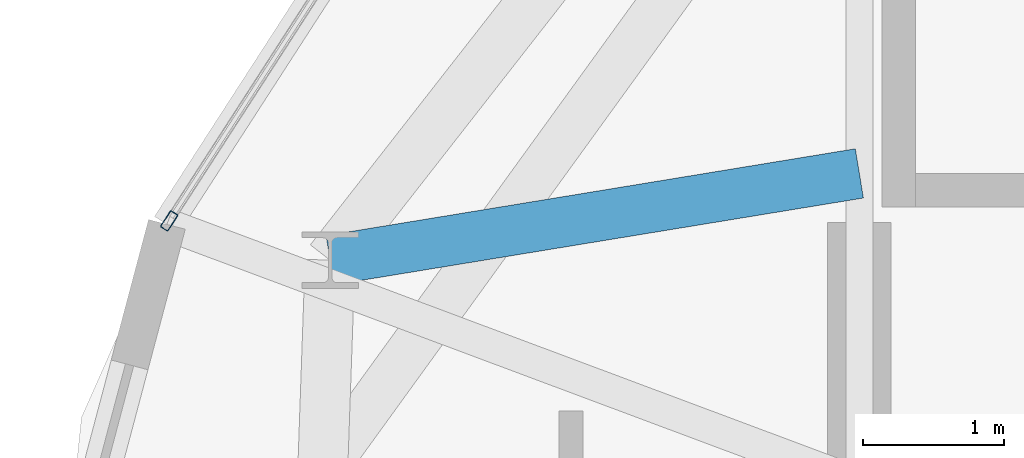
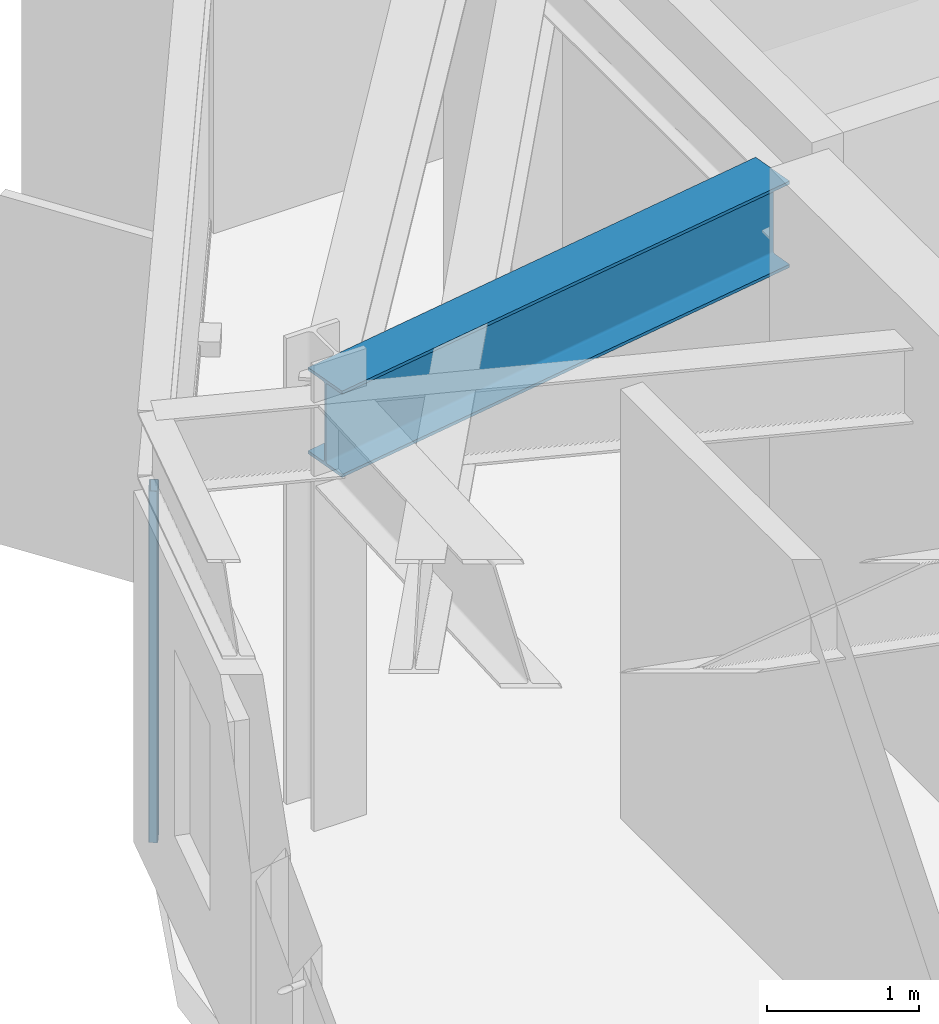
# One storey, part 8 of 26: 1 beam, 1 member, 1 element without a shape of its own.
"""IFC4 building model written with IfcOpenShell, lengths in metres."""

from ifc_helpers import new_model, si_unit, direction, frame, origin, origin_2d, place, context, subcontext, project, spatial, hollow_rectangle, i_section, extrude, material, layer, layer_set, material_profile, profile_set, type_object, element, aggregate, save


model = new_model("IFC4")

# Units and contexts
model_context = context("Model", 3, precision=1e-05, world=origin(), true_north=direction((0.0, 1.0)))
body_context = subcontext(model_context, "Body", "Model", "MODEL_VIEW")
ifc_project = project(units=[si_unit("LENGTHUNIT", "METRE"), si_unit("AREAUNIT", "SQUARE_METRE"), si_unit("VOLUMEUNIT", "CUBIC_METRE"), si_unit("PLANEANGLEUNIT", "RADIAN"), si_unit("MASSUNIT", "GRAM", prefix="KILO")], contexts=[model_context])

# Site, building, storey
site_placement = place(None, origin())
site = spatial("IfcSite", under=ifc_project, at=site_placement, CompositionType="ELEMENT")
building_placement = place(site_placement, origin())
building = spatial("IfcBuilding", under=site, at=building_placement, Name="Soratama Intermodal Tower", CompositionType="ELEMENT")
storey_placement = place(building_placement, frame((0.0, 0.0, 242.5)))
storey = spatial("IfcBuildingStorey", under=building, at=storey_placement, Name="L61", CompositionType="ELEMENT", Elevation=242.5)

# Beam
ifc_material_1 = material(Name="Structural steel ASTM A992 Grade 50", Category="steel")
ifc_material_profile_1 = material_profile(ifc_material_1, i_section(OverallWidth=0.35498046875, OverallDepth=0.695068359375, WebThickness=0.015380859375, FlangeThickness=0.02490234375, FilletRadius=0.01611328125, at=origin_2d()), Name="W27X146")
ifc_profile_set_1 = profile_set([ifc_material_profile_1], Name="Structural steel ASTM A992 Grade 50")
beam_type = type_object("IfcBeamType", Name="BM-RING-W27X146", PredefinedType="BEAM", material=ifc_profile_set_1)
beam_placement = place(storey_placement, frame((32.60009765625, 31.5, 3.1025390625), z_axis=(-0.986826492219, -0.161782181513, 0.0), x_axis=(0.161782181513, -0.986826492219, 0.0)))
element("IfcBeam", 1, at=beam_placement, inside=storey, type_object=beam_type, Name="BM-L61-RAD-05", PredefinedType="BEAM", context=body_context, shape_type="SweptSolid", body=[
    extrude(i_section(OverallWidth=0.35498046875, OverallDepth=0.695068359375, WebThickness=0.015380859375, FlangeThickness=0.02490234375, FilletRadius=0.01611328125, at=origin_2d()), origin(), (0.0, 0.0, 1.0), 3.8134765625),
])

# Curtain wall, member
ifc_material_2 = material(Name="Double-glazed aluminium curtain wall", Category="aluminium")
ifc_layer = layer(ifc_material_2, 0.159912109375)
ifc_layer_set = layer_set([ifc_layer], Name="Double-glazed aluminium curtain wall")
curtain_wall_type = type_object("IfcCurtainWallType", Name="CW-SYS-5", PredefinedType="NOTDEFINED", material=ifc_layer_set)
curtain_wall_placement = place(storey_placement, origin())
curtain_wall = element("IfcCurtainWall", 2, at=curtain_wall_placement, inside=storey, type_object=curtain_wall_type, Name="L61 Faceted Curtain Wall F03", PredefinedType="NOTDEFINED")
ifc_material_3 = material(Name="Anodised aluminium AA 6063-T6", Category="aluminium")
ifc_material_profile_2 = material_profile(ifc_material_3, hollow_rectangle(XDim=0.06494140625, YDim=0.139892578125, WallThickness=0.0048828125, InnerFilletRadius=0.0048828125, OuterFilletRadius=0.010009765625, at=origin_2d()), Name="CWM140X65X5")
ifc_profile_set_2 = profile_set([ifc_material_profile_2], Name="Anodised aluminium AA 6063-T6")
member_type = type_object("IfcMemberType", Name="MT-CWM-5", PredefinedType="MULLION", material=ifc_profile_set_2)
member_placement = place(storey_placement, frame((27.693359375, 31.16259765625, 0.0), z_axis=(0.0, 0.0, 1.0), x_axis=(0.839811540954, -0.542878048627, 0.0)))
member = element("IfcMember", 3, at=member_placement, type_object=member_type, Name="CW-5 mullion 2", PredefinedType="MULLION", context=body_context, shape_type="SweptSolid", body=[
    extrude(hollow_rectangle(XDim=0.06494140625, YDim=0.139892578125, WallThickness=0.0048828125, InnerFilletRadius=0.0048828125, OuterFilletRadius=0.010009765625, at=origin_2d()), origin(), (0.0, 0.0, 1.0), 2.8291015625),
])
aggregate(curtain_wall, [member])

save(model, "model.ifc")
